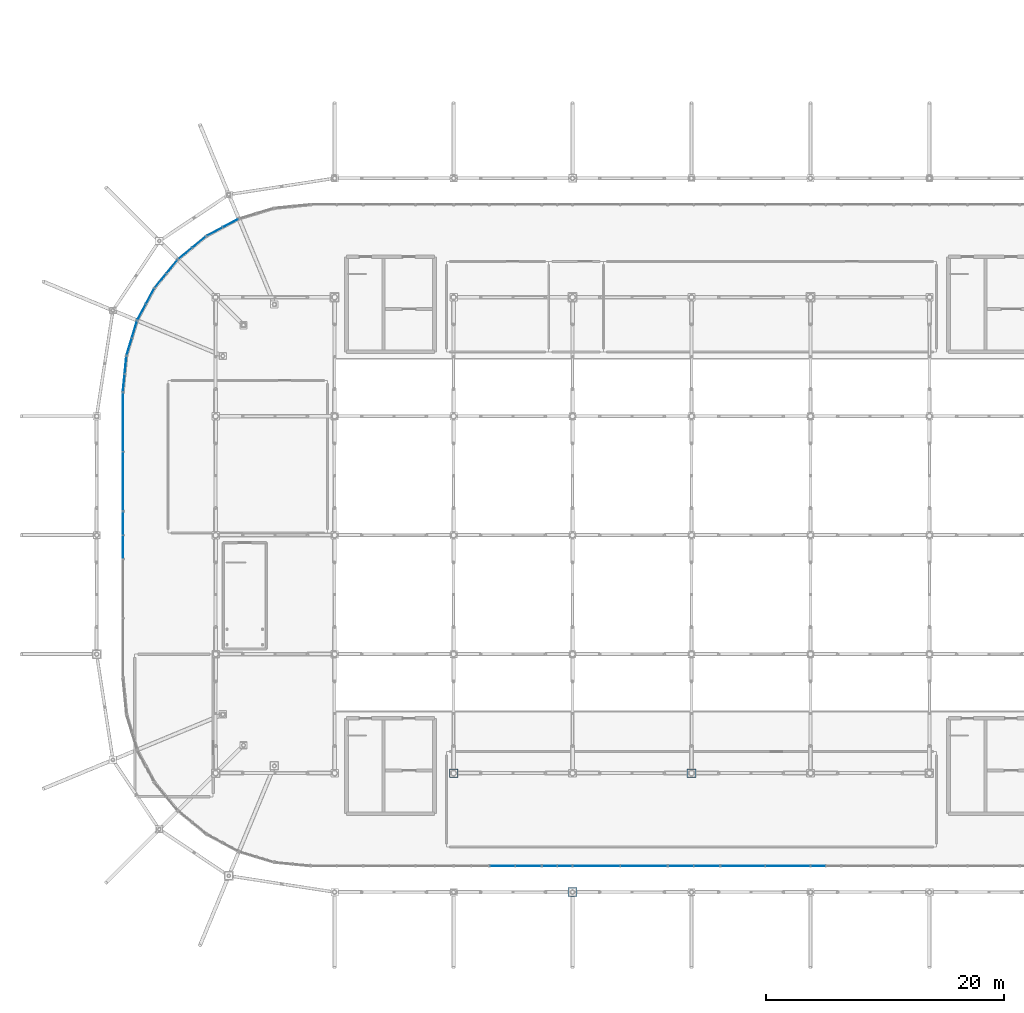
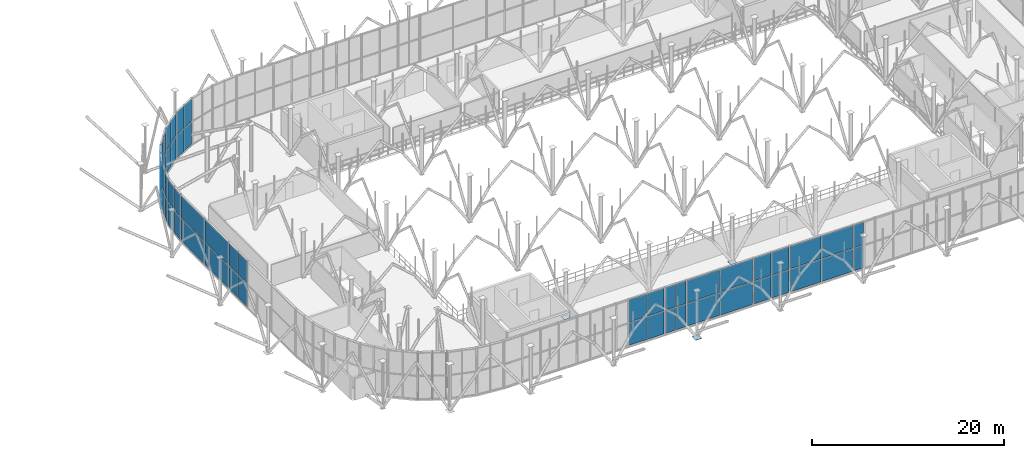
# One storey, part 87 of 109: 57 plates, 14 elements without a shape of their own.
"""IFC4 building model written with IfcOpenShell, lengths in metres."""

from ifc_helpers import new_model, si_unit, derived_unit, direction, frame, origin, origin_2d_with_axis, place, context, subcontext, project, spatial, rectangle, extrude, material, layer, layer_set, type_object, element, aggregate, save


model = new_model("IFC4")

# Units and contexts
model_context = context("Model", 3, precision=1e-05, world=origin(), true_north=direction((0.0, 1.0)))
body_context = subcontext(model_context, "Body", "Model", "MODEL_VIEW")
ifc_project = project(units=[si_unit("LENGTHUNIT", "METRE"), si_unit("AREAUNIT", "SQUARE_METRE"), si_unit("VOLUMEUNIT", "CUBIC_METRE"), si_unit("PLANEANGLEUNIT", "RADIAN"), si_unit("MASSUNIT", "GRAM", prefix="KILO"), derived_unit("THERMALTRANSMITTANCEUNIT", [(si_unit("POWERUNIT", "WATT"), 1), (si_unit("LENGTHUNIT", "METRE"), -2), (si_unit("THERMODYNAMICTEMPERATUREUNIT", "KELVIN"), -1)])], contexts=[model_context])

# Site, building, storey
site_placement = place(None, origin())
site = spatial("IfcSite", under=ifc_project, at=site_placement, CompositionType="ELEMENT")
building_placement = place(site_placement, origin())
building = spatial("IfcBuilding", under=site, at=building_placement, Name="Cinnabar Yard Market Hall", CompositionType="ELEMENT")
storey_placement = place(building_placement, frame((0.0, 0.0, 8.39990234375)))
storey = spatial("IfcBuildingStorey", under=building, at=storey_placement, Name="L02", CompositionType="ELEMENT", Elevation=8.39990234375)

# Curtain wall, plates
ifc_material_1 = material(Name="Anodised bronze aluminium and low-E glass", Category="aluminium")
curtain_wall_type_1 = type_object("IfcCurtainWallType", Name="CW-CWH026x60", PredefinedType="NOTDEFINED", material=ifc_material_1)
curtain_wall_1_placement = place(storey_placement, origin())
curtain_wall_1 = element("IfcCurtainWall", 1, at=curtain_wall_1_placement, inside=storey, type_object=curtain_wall_type_1, Name="Market Hall South Upper Clerestory B2B", PredefinedType="NOTDEFINED")
ifc_material_2 = material(Name="Low-E laminated glass", Category="glass")
ifc_layer_1 = layer(ifc_material_2, 0.031982421875)
ifc_layer_set_1 = layer_set([ifc_layer_1], Name="Low-E laminated glass")
plate_type_1 = type_object("IfcPlateType", Name="CWP-GP118x287", PredefinedType="CURTAIN_PANEL", material=ifc_layer_set_1)
plate_1_placement = place(storey_placement, frame((104.070068359375, 16.199951171875, 0.080078125), z_axis=(0.0, 0.0, 1.0), x_axis=(1.0, 0.0, 0.0)))
plate_1 = element("IfcPlate", 2, at=plate_1_placement, type_object=plate_type_1, Name="CWH026x60 panel 1.1", PredefinedType="CURTAIN_PANEL", context=body_context, shape_type="SweptSolid", body=[
    extrude(rectangle(XDim=1.179931640625, YDim=0.031982421875, at=origin_2d_with_axis()), origin(), (0.0, 0.0, 1.0), 2.8701171875),
])
plate_2_placement = place(storey_placement, frame((104.070068359375, 16.199951171875, 3.030029296875), z_axis=(0.0, 0.0, 1.0), x_axis=(1.0, 0.0, 0.0)))
plate_2 = element("IfcPlate", 3, at=plate_2_placement, type_object=plate_type_1, Name="CWH026x60 panel 1.2", PredefinedType="CURTAIN_PANEL", context=body_context, shape_type="SweptSolid", body=[
    extrude(rectangle(XDim=1.179931640625, YDim=0.031982421875, at=origin_2d_with_axis()), origin(), (0.0, 0.0, 1.0), 2.8701171875),
])
plate_3_placement = place(storey_placement, frame((105.330078125, 16.199951171875, 0.080078125), z_axis=(0.0, 0.0, 1.0), x_axis=(1.0, 0.0, 0.0)))
plate_3 = element("IfcPlate", 4, at=plate_3_placement, type_object=plate_type_1, Name="CWH026x60 panel 2.1", PredefinedType="CURTAIN_PANEL", context=body_context, shape_type="SweptSolid", body=[
    extrude(rectangle(XDim=1.179931640625, YDim=0.031982421875, at=origin_2d_with_axis()), origin(), (0.0, 0.0, 1.0), 2.8701171875),
])
plate_4_placement = place(storey_placement, frame((105.330078125, 16.199951171875, 3.030029296875), z_axis=(0.0, 0.0, 1.0), x_axis=(1.0, 0.0, 0.0)))
plate_4 = element("IfcPlate", 5, at=plate_4_placement, type_object=plate_type_1, Name="CWH026x60 panel 2.2", PredefinedType="CURTAIN_PANEL", context=body_context, shape_type="SweptSolid", body=[
    extrude(rectangle(XDim=1.179931640625, YDim=0.031982421875, at=origin_2d_with_axis()), origin(), (0.0, 0.0, 1.0), 2.8701171875),
])
aggregate(curtain_wall_1, [plate_1, plate_2, plate_3, plate_4])

curtain_wall_2_placement = place(storey_placement, origin())
curtain_wall_2 = element("IfcCurtainWall", 6, at=curtain_wall_2_placement, inside=storey, type_object=curtain_wall_type_1, Name="Market Hall South Upper Clerestory B5A", PredefinedType="NOTDEFINED")
plate_5_placement = place(storey_placement, frame((126.669921875, 16.199951171875, 0.080078125), z_axis=(0.0, 0.0, 1.0), x_axis=(1.0, 0.0, 0.0)))
plate_5 = element("IfcPlate", 7, at=plate_5_placement, type_object=plate_type_1, Name="CWH026x60 panel 1.1", PredefinedType="CURTAIN_PANEL", context=body_context, shape_type="SweptSolid", body=[
    extrude(rectangle(XDim=1.179931640625, YDim=0.031982421875, at=origin_2d_with_axis()), origin(), (0.0, 0.0, 1.0), 2.8701171875),
])
plate_6_placement = place(storey_placement, frame((126.669921875, 16.199951171875, 3.030029296875), z_axis=(0.0, 0.0, 1.0), x_axis=(1.0, 0.0, 0.0)))
plate_6 = element("IfcPlate", 8, at=plate_6_placement, type_object=plate_type_1, Name="CWH026x60 panel 1.2", PredefinedType="CURTAIN_PANEL", context=body_context, shape_type="SweptSolid", body=[
    extrude(rectangle(XDim=1.179931640625, YDim=0.031982421875, at=origin_2d_with_axis()), origin(), (0.0, 0.0, 1.0), 2.8701171875),
])
aggregate(curtain_wall_2, [plate_5, plate_6])

ifc_material_3 = material(Name="Anodised bronze aluminium curved-chord facade", Category="aluminium")
curtain_wall_type_2 = type_object("IfcCurtainWallType", Name="CW-CWC031x60", PredefinedType="NOTDEFINED", material=ifc_material_3)
curtain_wall_3_placement = place(storey_placement, origin())
curtain_wall_3 = element("IfcCurtainWall", 9, at=curtain_wall_3_placement, inside=storey, type_object=curtain_wall_type_2, Name="Corner NW Chord 3 L02", PredefinedType="NOTDEFINED")
ifc_layer_2 = layer(ifc_material_2, 0.031982421875)
ifc_layer_set_2 = layer_set([ifc_layer_2], Name="Low-E laminated glass")
plate_type_2 = type_object("IfcPlateType", Name="CWP-GP141x286", PredefinedType="CURTAIN_PANEL", material=ifc_layer_set_2)
plate_7_placement = place(storey_placement, frame((77.2509765625, 70.2216796875, 0.090087890625), z_axis=(0.0, 0.0, 1.0), x_axis=(-0.881917320707, -0.471404114786, 0.0)))
plate_7 = element("IfcPlate", 10, at=plate_7_placement, type_object=plate_type_2, Name="CWC031x60 panel 1.1", PredefinedType="CURTAIN_PANEL", context=body_context, shape_type="SweptSolid", body=[
    extrude(rectangle(XDim=1.41357421875, YDim=0.031982421875, at=origin_2d_with_axis()), origin(), (0.0, 0.0, 1.0), 2.85498046875),
])
plate_8_placement = place(storey_placement, frame((77.2509765625, 70.2216796875, 3.03515625), z_axis=(0.0, 0.0, 1.0), x_axis=(-0.881917320707, -0.471404114786, 0.0)))
plate_8 = element("IfcPlate", 11, at=plate_8_placement, type_object=plate_type_2, Name="CWC031x60 panel 1.2", PredefinedType="CURTAIN_PANEL", context=body_context, shape_type="SweptSolid", body=[
    extrude(rectangle(XDim=1.41357421875, YDim=0.031982421875, at=origin_2d_with_axis()), origin(), (0.0, 0.0, 1.0), 2.85498046875),
])
plate_9_placement = place(storey_placement, frame((75.9248046875, 69.512939453125, 0.090087890625), z_axis=(0.0, 0.0, 1.0), x_axis=(-0.881917320707, -0.471404114786, 0.0)))
plate_9 = element("IfcPlate", 12, at=plate_9_placement, type_object=plate_type_2, Name="CWC031x60 panel 2.1", PredefinedType="CURTAIN_PANEL", context=body_context, shape_type="SweptSolid", body=[
    extrude(rectangle(XDim=1.41357421875, YDim=0.031982421875, at=origin_2d_with_axis()), origin(), (0.0, 0.0, 1.0), 2.85498046875),
])
plate_10_placement = place(storey_placement, frame((75.9248046875, 69.512939453125, 3.03515625), z_axis=(0.0, 0.0, 1.0), x_axis=(-0.881917320707, -0.471404114786, 0.0)))
plate_10 = element("IfcPlate", 13, at=plate_10_placement, type_object=plate_type_2, Name="CWC031x60 panel 2.2", PredefinedType="CURTAIN_PANEL", context=body_context, shape_type="SweptSolid", body=[
    extrude(rectangle(XDim=1.41357421875, YDim=0.031982421875, at=origin_2d_with_axis()), origin(), (0.0, 0.0, 1.0), 2.85498046875),
])
aggregate(curtain_wall_3, [plate_7, plate_8, plate_9, plate_10])

curtain_wall_4_placement = place(storey_placement, origin())
curtain_wall_4 = element("IfcCurtainWall", 14, at=curtain_wall_4_placement, inside=storey, type_object=curtain_wall_type_2, Name="Corner NW Chord 4 L02", PredefinedType="NOTDEFINED")
plate_11_placement = place(storey_placement, frame((74.60595703125, 68.631591796875, 0.090087890625), z_axis=(0.0, 0.0, 1.0), x_axis=(-0.773018564222, -0.634383400924, 0.0)))
plate_11 = element("IfcPlate", 15, at=plate_11_placement, type_object=plate_type_2, Name="CWC031x60 panel 1.1", PredefinedType="CURTAIN_PANEL", context=body_context, shape_type="SweptSolid", body=[
    extrude(rectangle(XDim=1.41357421875, YDim=0.031982421875, at=origin_2d_with_axis()), origin(), (0.0, 0.0, 1.0), 2.85498046875),
])
plate_12_placement = place(storey_placement, frame((74.60595703125, 68.631591796875, 3.03515625), z_axis=(0.0, 0.0, 1.0), x_axis=(-0.773018564222, -0.634383400924, 0.0)))
plate_12 = element("IfcPlate", 16, at=plate_12_placement, type_object=plate_type_2, Name="CWC031x60 panel 1.2", PredefinedType="CURTAIN_PANEL", context=body_context, shape_type="SweptSolid", body=[
    extrude(rectangle(XDim=1.41357421875, YDim=0.031982421875, at=origin_2d_with_axis()), origin(), (0.0, 0.0, 1.0), 2.85498046875),
])
plate_13_placement = place(storey_placement, frame((73.443603515625, 67.677734375, 0.090087890625), z_axis=(0.0, 0.0, 1.0), x_axis=(-0.773018564222, -0.634383400924, 0.0)))
plate_13 = element("IfcPlate", 17, at=plate_13_placement, type_object=plate_type_2, Name="CWC031x60 panel 2.1", PredefinedType="CURTAIN_PANEL", context=body_context, shape_type="SweptSolid", body=[
    extrude(rectangle(XDim=1.41357421875, YDim=0.031982421875, at=origin_2d_with_axis()), origin(), (0.0, 0.0, 1.0), 2.85498046875),
])
plate_14_placement = place(storey_placement, frame((73.443603515625, 67.677734375, 3.03515625), z_axis=(0.0, 0.0, 1.0), x_axis=(-0.773018564222, -0.634383400924, 0.0)))
plate_14 = element("IfcPlate", 18, at=plate_14_placement, type_object=plate_type_2, Name="CWC031x60 panel 2.2", PredefinedType="CURTAIN_PANEL", context=body_context, shape_type="SweptSolid", body=[
    extrude(rectangle(XDim=1.41357421875, YDim=0.031982421875, at=origin_2d_with_axis()), origin(), (0.0, 0.0, 1.0), 2.85498046875),
])
aggregate(curtain_wall_4, [plate_11, plate_12, plate_13, plate_14])

curtain_wall_5_placement = place(storey_placement, origin())
curtain_wall_5 = element("IfcCurtainWall", 19, at=curtain_wall_5_placement, inside=storey, type_object=curtain_wall_type_2, Name="Corner NW Chord 5 L02", PredefinedType="NOTDEFINED")
plate_15_placement = place(storey_placement, frame((72.322265625, 66.556396484375, 0.090087890625), z_axis=(0.0, 0.0, 1.0), x_axis=(-0.634383400924, -0.773018564222, 0.0)))
plate_15 = element("IfcPlate", 20, at=plate_15_placement, type_object=plate_type_2, Name="CWC031x60 panel 1.1", PredefinedType="CURTAIN_PANEL", context=body_context, shape_type="SweptSolid", body=[
    extrude(rectangle(XDim=1.41357421875, YDim=0.031982421875, at=origin_2d_with_axis()), origin(), (0.0, 0.0, 1.0), 2.85498046875),
])
plate_16_placement = place(storey_placement, frame((72.322265625, 66.556396484375, 3.03515625), z_axis=(0.0, 0.0, 1.0), x_axis=(-0.634383400924, -0.773018564222, 0.0)))
plate_16 = element("IfcPlate", 21, at=plate_16_placement, type_object=plate_type_2, Name="CWC031x60 panel 1.2", PredefinedType="CURTAIN_PANEL", context=body_context, shape_type="SweptSolid", body=[
    extrude(rectangle(XDim=1.41357421875, YDim=0.031982421875, at=origin_2d_with_axis()), origin(), (0.0, 0.0, 1.0), 2.85498046875),
])
plate_17_placement = place(storey_placement, frame((71.368408203125, 65.39404296875, 0.090087890625), z_axis=(0.0, 0.0, 1.0), x_axis=(-0.634383400924, -0.773018564222, 0.0)))
plate_17 = element("IfcPlate", 22, at=plate_17_placement, type_object=plate_type_2, Name="CWC031x60 panel 2.1", PredefinedType="CURTAIN_PANEL", context=body_context, shape_type="SweptSolid", body=[
    extrude(rectangle(XDim=1.41357421875, YDim=0.031982421875, at=origin_2d_with_axis()), origin(), (0.0, 0.0, 1.0), 2.85498046875),
])
plate_18_placement = place(storey_placement, frame((71.368408203125, 65.39404296875, 3.03515625), z_axis=(0.0, 0.0, 1.0), x_axis=(-0.634383400924, -0.773018564222, 0.0)))
plate_18 = element("IfcPlate", 23, at=plate_18_placement, type_object=plate_type_2, Name="CWC031x60 panel 2.2", PredefinedType="CURTAIN_PANEL", context=body_context, shape_type="SweptSolid", body=[
    extrude(rectangle(XDim=1.41357421875, YDim=0.031982421875, at=origin_2d_with_axis()), origin(), (0.0, 0.0, 1.0), 2.85498046875),
])
aggregate(curtain_wall_5, [plate_15, plate_16, plate_17, plate_18])

curtain_wall_6_placement = place(storey_placement, origin())
curtain_wall_6 = element("IfcCurtainWall", 24, at=curtain_wall_6_placement, inside=storey, type_object=curtain_wall_type_2, Name="Corner NW Chord 6 L02", PredefinedType="NOTDEFINED")
plate_19_placement = place(storey_placement, frame((70.487060546875, 64.0751953125, 0.090087890625), z_axis=(0.0, 0.0, 1.0), x_axis=(-0.471404114786, -0.881917320707, 0.0)))
plate_19 = element("IfcPlate", 25, at=plate_19_placement, type_object=plate_type_2, Name="CWC031x60 panel 1.1", PredefinedType="CURTAIN_PANEL", context=body_context, shape_type="SweptSolid", body=[
    extrude(rectangle(XDim=1.41357421875, YDim=0.031982421875, at=origin_2d_with_axis()), origin(), (0.0, 0.0, 1.0), 2.85498046875),
])
plate_20_placement = place(storey_placement, frame((70.487060546875, 64.0751953125, 3.03515625), z_axis=(0.0, 0.0, 1.0), x_axis=(-0.471404114786, -0.881917320707, 0.0)))
plate_20 = element("IfcPlate", 26, at=plate_20_placement, type_object=plate_type_2, Name="CWC031x60 panel 1.2", PredefinedType="CURTAIN_PANEL", context=body_context, shape_type="SweptSolid", body=[
    extrude(rectangle(XDim=1.41357421875, YDim=0.031982421875, at=origin_2d_with_axis()), origin(), (0.0, 0.0, 1.0), 2.85498046875),
])
plate_21_placement = place(storey_placement, frame((69.7783203125, 62.7490234375, 0.090087890625), z_axis=(0.0, 0.0, 1.0), x_axis=(-0.471404114786, -0.881917320707, 0.0)))
plate_21 = element("IfcPlate", 27, at=plate_21_placement, type_object=plate_type_2, Name="CWC031x60 panel 2.1", PredefinedType="CURTAIN_PANEL", context=body_context, shape_type="SweptSolid", body=[
    extrude(rectangle(XDim=1.41357421875, YDim=0.031982421875, at=origin_2d_with_axis()), origin(), (0.0, 0.0, 1.0), 2.85498046875),
])
plate_22_placement = place(storey_placement, frame((69.7783203125, 62.7490234375, 3.03515625), z_axis=(0.0, 0.0, 1.0), x_axis=(-0.471404114786, -0.881917320707, 0.0)))
plate_22 = element("IfcPlate", 28, at=plate_22_placement, type_object=plate_type_2, Name="CWC031x60 panel 2.2", PredefinedType="CURTAIN_PANEL", context=body_context, shape_type="SweptSolid", body=[
    extrude(rectangle(XDim=1.41357421875, YDim=0.031982421875, at=origin_2d_with_axis()), origin(), (0.0, 0.0, 1.0), 2.85498046875),
])
aggregate(curtain_wall_6, [plate_19, plate_20, plate_21, plate_22])

curtain_wall_7_placement = place(storey_placement, origin())
curtain_wall_7 = element("IfcCurtainWall", 29, at=curtain_wall_7_placement, inside=storey, type_object=curtain_wall_type_2, Name="Corner NW Chord 7 L02", PredefinedType="NOTDEFINED")
plate_23_placement = place(storey_placement, frame((69.17138671875, 61.283935546875, 0.090087890625), z_axis=(0.0, 0.0, 1.0), x_axis=(-0.290278891325, -0.956942090856, 0.0)))
plate_23 = element("IfcPlate", 30, at=plate_23_placement, type_object=plate_type_2, Name="CWC031x60 panel 1.1", PredefinedType="CURTAIN_PANEL", context=body_context, shape_type="SweptSolid", body=[
    extrude(rectangle(XDim=1.41357421875, YDim=0.031982421875, at=origin_2d_with_axis()), origin(), (0.0, 0.0, 1.0), 2.85498046875),
])
plate_24_placement = place(storey_placement, frame((69.17138671875, 61.283935546875, 3.03515625), z_axis=(0.0, 0.0, 1.0), x_axis=(-0.290278891325, -0.956942090856, 0.0)))
plate_24 = element("IfcPlate", 31, at=plate_24_placement, type_object=plate_type_2, Name="CWC031x60 panel 1.2", PredefinedType="CURTAIN_PANEL", context=body_context, shape_type="SweptSolid", body=[
    extrude(rectangle(XDim=1.41357421875, YDim=0.031982421875, at=origin_2d_with_axis()), origin(), (0.0, 0.0, 1.0), 2.85498046875),
])
plate_25_placement = place(storey_placement, frame((68.73486328125, 59.844970703125, 0.090087890625), z_axis=(0.0, 0.0, 1.0), x_axis=(-0.290278891325, -0.956942090856, 0.0)))
plate_25 = element("IfcPlate", 32, at=plate_25_placement, type_object=plate_type_2, Name="CWC031x60 panel 2.1", PredefinedType="CURTAIN_PANEL", context=body_context, shape_type="SweptSolid", body=[
    extrude(rectangle(XDim=1.41357421875, YDim=0.031982421875, at=origin_2d_with_axis()), origin(), (0.0, 0.0, 1.0), 2.85498046875),
])
plate_26_placement = place(storey_placement, frame((68.73486328125, 59.844970703125, 3.03515625), z_axis=(0.0, 0.0, 1.0), x_axis=(-0.290278891325, -0.956942090856, 0.0)))
plate_26 = element("IfcPlate", 33, at=plate_26_placement, type_object=plate_type_2, Name="CWC031x60 panel 2.2", PredefinedType="CURTAIN_PANEL", context=body_context, shape_type="SweptSolid", body=[
    extrude(rectangle(XDim=1.41357421875, YDim=0.031982421875, at=origin_2d_with_axis()), origin(), (0.0, 0.0, 1.0), 2.85498046875),
])
aggregate(curtain_wall_7, [plate_23, plate_24, plate_25, plate_26])

curtain_wall_8_placement = place(storey_placement, origin())
curtain_wall_8 = element("IfcCurtainWall", 34, at=curtain_wall_8_placement, inside=storey, type_object=curtain_wall_type_2, Name="Corner NW Chord 8 L02", PredefinedType="NOTDEFINED")
plate_27_placement = place(storey_placement, frame((68.425537109375, 58.289306640625, 0.090087890625), z_axis=(0.0, 0.0, 1.0), x_axis=(-0.098020369342, -0.995184408637, 0.0)))
plate_27 = element("IfcPlate", 35, at=plate_27_placement, type_object=plate_type_2, Name="CWC031x60 panel 1.1", PredefinedType="CURTAIN_PANEL", context=body_context, shape_type="SweptSolid", body=[
    extrude(rectangle(XDim=1.41357421875, YDim=0.031982421875, at=origin_2d_with_axis()), origin(), (0.0, 0.0, 1.0), 2.85498046875),
])
plate_28_placement = place(storey_placement, frame((68.425537109375, 58.289306640625, 3.03515625), z_axis=(0.0, 0.0, 1.0), x_axis=(-0.098020369342, -0.995184408637, 0.0)))
plate_28 = element("IfcPlate", 36, at=plate_28_placement, type_object=plate_type_2, Name="CWC031x60 panel 1.2", PredefinedType="CURTAIN_PANEL", context=body_context, shape_type="SweptSolid", body=[
    extrude(rectangle(XDim=1.41357421875, YDim=0.031982421875, at=origin_2d_with_axis()), origin(), (0.0, 0.0, 1.0), 2.85498046875),
])
plate_29_placement = place(storey_placement, frame((68.278076171875, 56.79296875, 0.090087890625), z_axis=(0.0, 0.0, 1.0), x_axis=(-0.098020369342, -0.995184408637, 0.0)))
plate_29 = element("IfcPlate", 37, at=plate_29_placement, type_object=plate_type_2, Name="CWC031x60 panel 2.1", PredefinedType="CURTAIN_PANEL", context=body_context, shape_type="SweptSolid", body=[
    extrude(rectangle(XDim=1.41357421875, YDim=0.031982421875, at=origin_2d_with_axis()), origin(), (0.0, 0.0, 1.0), 2.85498046875),
])
plate_30_placement = place(storey_placement, frame((68.278076171875, 56.79296875, 3.03515625), z_axis=(0.0, 0.0, 1.0), x_axis=(-0.098020369342, -0.995184408637, 0.0)))
plate_30 = element("IfcPlate", 38, at=plate_30_placement, type_object=plate_type_2, Name="CWC031x60 panel 2.2", PredefinedType="CURTAIN_PANEL", context=body_context, shape_type="SweptSolid", body=[
    extrude(rectangle(XDim=1.41357421875, YDim=0.031982421875, at=origin_2d_with_axis()), origin(), (0.0, 0.0, 1.0), 2.85498046875),
])
aggregate(curtain_wall_8, [plate_27, plate_28, plate_29, plate_30])

curtain_wall_type_3 = type_object("IfcCurtainWallType", Name="CW-CWH040x60", PredefinedType="NOTDEFINED", material=ifc_material_1)
curtain_wall_9_placement = place(storey_placement, origin())
curtain_wall_9 = element("IfcCurtainWall", 39, at=curtain_wall_9_placement, inside=storey, type_object=curtain_wall_type_3, Name="Market Hall West Upper Clerestory WPT", PredefinedType="NOTDEFINED")
ifc_layer_3 = layer(ifc_material_2, 0.031982421875)
ifc_layer_set_3 = layer_set([ifc_layer_3], Name="Low-E laminated glass")
plate_type_3 = type_object("IfcPlateType", Name="CWP-GP188x287", PredefinedType="CURTAIN_PANEL", material=ifc_layer_set_3)
plate_31_placement = place(storey_placement, frame((68.199951171875, 44.97998046875, 0.080078125), z_axis=(0.0, 0.0, 1.0), x_axis=(0.0, -1.0, 0.0)))
plate_31 = element("IfcPlate", 40, at=plate_31_placement, type_object=plate_type_3, Name="CWH040x60 panel 1.1", PredefinedType="CURTAIN_PANEL", context=body_context, shape_type="SweptSolid", body=[
    extrude(rectangle(XDim=1.8798828125, YDim=0.031982421875, at=origin_2d_with_axis()), origin(), (0.0, 0.0, 1.0), 2.8701171875),
])
plate_32_placement = place(storey_placement, frame((68.199951171875, 44.97998046875, 3.030029296875), z_axis=(0.0, 0.0, 1.0), x_axis=(0.0, -1.0, 0.0)))
plate_32 = element("IfcPlate", 41, at=plate_32_placement, type_object=plate_type_3, Name="CWH040x60 panel 1.2", PredefinedType="CURTAIN_PANEL", context=body_context, shape_type="SweptSolid", body=[
    extrude(rectangle(XDim=1.8798828125, YDim=0.031982421875, at=origin_2d_with_axis()), origin(), (0.0, 0.0, 1.0), 2.8701171875),
])
plate_33_placement = place(storey_placement, frame((68.199951171875, 43.02001953125, 0.080078125), z_axis=(0.0, 0.0, 1.0), x_axis=(0.0, -1.0, 0.0)))
plate_33 = element("IfcPlate", 42, at=plate_33_placement, type_object=plate_type_3, Name="CWH040x60 panel 2.1", PredefinedType="CURTAIN_PANEL", context=body_context, shape_type="SweptSolid", body=[
    extrude(rectangle(XDim=1.8798828125, YDim=0.031982421875, at=origin_2d_with_axis()), origin(), (0.0, 0.0, 1.0), 2.8701171875),
])
plate_34_placement = place(storey_placement, frame((68.199951171875, 43.02001953125, 3.030029296875), z_axis=(0.0, 0.0, 1.0), x_axis=(0.0, -1.0, 0.0)))
plate_34 = element("IfcPlate", 43, at=plate_34_placement, type_object=plate_type_3, Name="CWH040x60 panel 2.2", PredefinedType="CURTAIN_PANEL", context=body_context, shape_type="SweptSolid", body=[
    extrude(rectangle(XDim=1.8798828125, YDim=0.031982421875, at=origin_2d_with_axis()), origin(), (0.0, 0.0, 1.0), 2.8701171875),
])
aggregate(curtain_wall_9, [plate_31, plate_32, plate_33, plate_34])

curtain_wall_type_4 = type_object("IfcCurtainWallType", Name="CW-CWH044x60", PredefinedType="NOTDEFINED", material=ifc_material_1)
curtain_wall_10_placement = place(storey_placement, origin())
curtain_wall_10 = element("IfcCurtainWall", 44, at=curtain_wall_10_placement, inside=storey, type_object=curtain_wall_type_4, Name="Market Hall South Upper Clerestory PTB2", PredefinedType="NOTDEFINED")
ifc_layer_4 = layer(ifc_material_2, 0.031982421875)
ifc_layer_set_4 = layer_set([ifc_layer_4], Name="Low-E laminated glass")
plate_type_4 = type_object("IfcPlateType", Name="CWP-GP208x287", PredefinedType="CURTAIN_PANEL", material=ifc_layer_set_4)
plate_35_placement = place(storey_placement, frame((100.1201171875, 16.199951171875, 0.080078125), z_axis=(0.0, 0.0, 1.0), x_axis=(1.0, 0.0, 0.0)))
plate_35 = element("IfcPlate", 45, at=plate_35_placement, type_object=plate_type_4, Name="CWH044x60 panel 1.1", PredefinedType="CURTAIN_PANEL", context=body_context, shape_type="SweptSolid", body=[
    extrude(rectangle(XDim=2.080078125, YDim=0.031982421875, at=origin_2d_with_axis()), origin(), (0.0, 0.0, 1.0), 2.8701171875),
])
plate_36_placement = place(storey_placement, frame((100.1201171875, 16.199951171875, 3.030029296875), z_axis=(0.0, 0.0, 1.0), x_axis=(1.0, 0.0, 0.0)))
plate_36 = element("IfcPlate", 46, at=plate_36_placement, type_object=plate_type_4, Name="CWH044x60 panel 1.2", PredefinedType="CURTAIN_PANEL", context=body_context, shape_type="SweptSolid", body=[
    extrude(rectangle(XDim=2.080078125, YDim=0.031982421875, at=origin_2d_with_axis()), origin(), (0.0, 0.0, 1.0), 2.8701171875),
])
plate_37_placement = place(storey_placement, frame((102.280029296875, 16.199951171875, 0.080078125), z_axis=(0.0, 0.0, 1.0), x_axis=(1.0, 0.0, 0.0)))
plate_37 = element("IfcPlate", 47, at=plate_37_placement, type_object=plate_type_4, Name="CWH044x60 panel 2.1", PredefinedType="CURTAIN_PANEL", context=body_context, shape_type="SweptSolid", body=[
    extrude(rectangle(XDim=2.080078125, YDim=0.031982421875, at=origin_2d_with_axis()), origin(), (0.0, 0.0, 1.0), 2.8701171875),
])
plate_38_placement = place(storey_placement, frame((102.280029296875, 16.199951171875, 3.030029296875), z_axis=(0.0, 0.0, 1.0), x_axis=(1.0, 0.0, 0.0)))
plate_38 = element("IfcPlate", 48, at=plate_38_placement, type_object=plate_type_4, Name="CWH044x60 panel 2.2", PredefinedType="CURTAIN_PANEL", context=body_context, shape_type="SweptSolid", body=[
    extrude(rectangle(XDim=2.080078125, YDim=0.031982421875, at=origin_2d_with_axis()), origin(), (0.0, 0.0, 1.0), 2.8701171875),
])
aggregate(curtain_wall_10, [plate_35, plate_36, plate_37, plate_38])

curtain_wall_11_placement = place(storey_placement, origin())
curtain_wall_11 = element("IfcCurtainWall", 49, at=curtain_wall_11_placement, inside=storey, type_object=curtain_wall_type_4, Name="Market Hall South Upper Clerestory PT1", PredefinedType="NOTDEFINED")
plate_39_placement = place(storey_placement, frame((115.1201171875, 16.199951171875, 0.080078125), z_axis=(0.0, 0.0, 1.0), x_axis=(1.0, 0.0, 0.0)))
plate_39 = element("IfcPlate", 50, at=plate_39_placement, type_object=plate_type_4, Name="CWH044x60 panel 1.1", PredefinedType="CURTAIN_PANEL", context=body_context, shape_type="SweptSolid", body=[
    extrude(rectangle(XDim=2.080078125, YDim=0.031982421875, at=origin_2d_with_axis()), origin(), (0.0, 0.0, 1.0), 2.8701171875),
])
plate_40_placement = place(storey_placement, frame((115.1201171875, 16.199951171875, 3.030029296875), z_axis=(0.0, 0.0, 1.0), x_axis=(1.0, 0.0, 0.0)))
plate_40 = element("IfcPlate", 51, at=plate_40_placement, type_object=plate_type_4, Name="CWH044x60 panel 1.2", PredefinedType="CURTAIN_PANEL", context=body_context, shape_type="SweptSolid", body=[
    extrude(rectangle(XDim=2.080078125, YDim=0.031982421875, at=origin_2d_with_axis()), origin(), (0.0, 0.0, 1.0), 2.8701171875),
])
plate_41_placement = place(storey_placement, frame((117.280029296875, 16.199951171875, 0.080078125), z_axis=(0.0, 0.0, 1.0), x_axis=(1.0, 0.0, 0.0)))
plate_41 = element("IfcPlate", 52, at=plate_41_placement, type_object=plate_type_4, Name="CWH044x60 panel 2.1", PredefinedType="CURTAIN_PANEL", context=body_context, shape_type="SweptSolid", body=[
    extrude(rectangle(XDim=2.080078125, YDim=0.031982421875, at=origin_2d_with_axis()), origin(), (0.0, 0.0, 1.0), 2.8701171875),
])
plate_42_placement = place(storey_placement, frame((117.280029296875, 16.199951171875, 3.030029296875), z_axis=(0.0, 0.0, 1.0), x_axis=(1.0, 0.0, 0.0)))
plate_42 = element("IfcPlate", 53, at=plate_42_placement, type_object=plate_type_4, Name="CWH044x60 panel 2.2", PredefinedType="CURTAIN_PANEL", context=body_context, shape_type="SweptSolid", body=[
    extrude(rectangle(XDim=2.080078125, YDim=0.031982421875, at=origin_2d_with_axis()), origin(), (0.0, 0.0, 1.0), 2.8701171875),
])
aggregate(curtain_wall_11, [plate_39, plate_40, plate_41, plate_42])

curtain_wall_type_5 = type_object("IfcCurtainWallType", Name="CW-CWH076x60", PredefinedType="NOTDEFINED", material=ifc_material_1)
curtain_wall_12_placement = place(storey_placement, origin())
curtain_wall_12 = element("IfcCurtainWall", 54, at=curtain_wall_12_placement, inside=storey, type_object=curtain_wall_type_5, Name="Market Hall South Upper Clerestory B4", PredefinedType="NOTDEFINED")
ifc_layer_5 = layer(ifc_material_2, 0.031982421875)
ifc_layer_set_5 = layer_set([ifc_layer_5], Name="Low-E laminated glass")
plate_type_5 = type_object("IfcPlateType", Name="CWP-GP368x287", PredefinedType="CURTAIN_PANEL", material=ifc_layer_set_5)
plate_43_placement = place(storey_placement, frame((120.320068359375, 16.199951171875, 0.080078125), z_axis=(0.0, 0.0, 1.0), x_axis=(1.0, 0.0, 0.0)))
plate_43 = element("IfcPlate", 55, at=plate_43_placement, type_object=plate_type_5, Name="CWH076x60 panel 1.1", PredefinedType="CURTAIN_PANEL", context=body_context, shape_type="SweptSolid", body=[
    extrude(rectangle(XDim=3.679931640625, YDim=0.031982421875, at=origin_2d_with_axis()), origin(), (0.0, 0.0, 1.0), 2.8701171875),
])
plate_44_placement = place(storey_placement, frame((120.320068359375, 16.199951171875, 3.030029296875), z_axis=(0.0, 0.0, 1.0), x_axis=(1.0, 0.0, 0.0)))
plate_44 = element("IfcPlate", 56, at=plate_44_placement, type_object=plate_type_5, Name="CWH076x60 panel 1.2", PredefinedType="CURTAIN_PANEL", context=body_context, shape_type="SweptSolid", body=[
    extrude(rectangle(XDim=3.679931640625, YDim=0.031982421875, at=origin_2d_with_axis()), origin(), (0.0, 0.0, 1.0), 2.8701171875),
])
plate_45_placement = place(storey_placement, frame((124.080078125, 16.199951171875, 0.080078125), z_axis=(0.0, 0.0, 1.0), x_axis=(1.0, 0.0, 0.0)))
plate_45 = element("IfcPlate", 57, at=plate_45_placement, type_object=plate_type_5, Name="CWH076x60 panel 2.1", PredefinedType="CURTAIN_PANEL", context=body_context, shape_type="SweptSolid", body=[
    extrude(rectangle(XDim=3.679931640625, YDim=0.031982421875, at=origin_2d_with_axis()), origin(), (0.0, 0.0, 1.0), 2.8701171875),
])
plate_46_placement = place(storey_placement, frame((124.080078125, 16.199951171875, 3.030029296875), z_axis=(0.0, 0.0, 1.0), x_axis=(1.0, 0.0, 0.0)))
plate_46 = element("IfcPlate", 58, at=plate_46_placement, type_object=plate_type_5, Name="CWH076x60 panel 2.2", PredefinedType="CURTAIN_PANEL", context=body_context, shape_type="SweptSolid", body=[
    extrude(rectangle(XDim=3.679931640625, YDim=0.031982421875, at=origin_2d_with_axis()), origin(), (0.0, 0.0, 1.0), 2.8701171875),
])
aggregate(curtain_wall_12, [plate_43, plate_44, plate_45, plate_46])

curtain_wall_type_6 = type_object("IfcCurtainWallType", Name="CW-CWH080x60", PredefinedType="NOTDEFINED", material=ifc_material_1)
curtain_wall_13_placement = place(storey_placement, origin())
curtain_wall_13 = element("IfcCurtainWall", 59, at=curtain_wall_13_placement, inside=storey, type_object=curtain_wall_type_6, Name="Market Hall South Upper Clerestory B3", PredefinedType="NOTDEFINED")
ifc_layer_6 = layer(ifc_material_2, 0.031982421875)
ifc_layer_set_6 = layer_set([ifc_layer_6], Name="Low-E laminated glass")
plate_type_6 = type_object("IfcPlateType", Name="CWP-GP388x287", PredefinedType="CURTAIN_PANEL", material=ifc_layer_set_6)
plate_47_placement = place(storey_placement, frame((108.02001953125, 16.199951171875, 0.080078125), z_axis=(0.0, 0.0, 1.0), x_axis=(1.0, 0.0, 0.0)))
plate_47 = element("IfcPlate", 60, at=plate_47_placement, type_object=plate_type_6, Name="CWH080x60 panel 1.1", PredefinedType="CURTAIN_PANEL", context=body_context, shape_type="SweptSolid", body=[
    extrude(rectangle(XDim=3.8798828125, YDim=0.031982421875, at=origin_2d_with_axis()), origin(), (0.0, 0.0, 1.0), 2.8701171875),
])
plate_48_placement = place(storey_placement, frame((108.02001953125, 16.199951171875, 3.030029296875), z_axis=(0.0, 0.0, 1.0), x_axis=(1.0, 0.0, 0.0)))
plate_48 = element("IfcPlate", 61, at=plate_48_placement, type_object=plate_type_6, Name="CWH080x60 panel 1.2", PredefinedType="CURTAIN_PANEL", context=body_context, shape_type="SweptSolid", body=[
    extrude(rectangle(XDim=3.8798828125, YDim=0.031982421875, at=origin_2d_with_axis()), origin(), (0.0, 0.0, 1.0), 2.8701171875),
])
plate_49_placement = place(storey_placement, frame((111.97998046875, 16.199951171875, 0.080078125), z_axis=(0.0, 0.0, 1.0), x_axis=(1.0, 0.0, 0.0)))
plate_49 = element("IfcPlate", 62, at=plate_49_placement, type_object=plate_type_6, Name="CWH080x60 panel 2.1", PredefinedType="CURTAIN_PANEL", context=body_context, shape_type="SweptSolid", body=[
    extrude(rectangle(XDim=3.8798828125, YDim=0.031982421875, at=origin_2d_with_axis()), origin(), (0.0, 0.0, 1.0), 2.8701171875),
])
plate_50_placement = place(storey_placement, frame((111.97998046875, 16.199951171875, 3.030029296875), z_axis=(0.0, 0.0, 1.0), x_axis=(1.0, 0.0, 0.0)))
plate_50 = element("IfcPlate", 63, at=plate_50_placement, type_object=plate_type_6, Name="CWH080x60 panel 2.2", PredefinedType="CURTAIN_PANEL", context=body_context, shape_type="SweptSolid", body=[
    extrude(rectangle(XDim=3.8798828125, YDim=0.031982421875, at=origin_2d_with_axis()), origin(), (0.0, 0.0, 1.0), 2.8701171875),
])
aggregate(curtain_wall_13, [plate_47, plate_48, plate_49, plate_50])

curtain_wall_type_7 = type_object("IfcCurtainWallType", Name="CW-CWH100x60", PredefinedType="NOTDEFINED", material=ifc_material_1)
curtain_wall_14_placement = place(storey_placement, origin())
curtain_wall_14 = element("IfcCurtainWall", 64, at=curtain_wall_14_placement, inside=storey, type_object=curtain_wall_type_7, Name="Market Hall West Upper Clerestory W2", PredefinedType="NOTDEFINED")
ifc_layer_7 = layer(ifc_material_2, 0.031982421875)
ifc_layer_set_7 = layer_set([ifc_layer_7], Name="Low-E laminated glass")
plate_type_7 = type_object("IfcPlateType", Name="CWP-GP488x287", PredefinedType="CURTAIN_PANEL", material=ifc_layer_set_7)
plate_51_placement = place(storey_placement, frame((68.199951171875, 53.47998046875, 0.080078125), z_axis=(0.0, 0.0, 1.0), x_axis=(0.0, -1.0, 0.0)))
plate_51 = element("IfcPlate", 65, at=plate_51_placement, type_object=plate_type_7, Name="CWH100x60 panel 1.1", PredefinedType="CURTAIN_PANEL", context=body_context, shape_type="SweptSolid", body=[
    extrude(rectangle(XDim=4.8798828125, YDim=0.031982421875, at=origin_2d_with_axis()), origin(), (0.0, 0.0, 1.0), 2.8701171875),
])
plate_52_placement = place(storey_placement, frame((68.199951171875, 53.47998046875, 3.030029296875), z_axis=(0.0, 0.0, 1.0), x_axis=(0.0, -1.0, 0.0)))
plate_52 = element("IfcPlate", 66, at=plate_52_placement, type_object=plate_type_7, Name="CWH100x60 panel 1.2", PredefinedType="CURTAIN_PANEL", context=body_context, shape_type="SweptSolid", body=[
    extrude(rectangle(XDim=4.8798828125, YDim=0.031982421875, at=origin_2d_with_axis()), origin(), (0.0, 0.0, 1.0), 2.8701171875),
])
plate_53_placement = place(storey_placement, frame((68.199951171875, 48.52001953125, 0.080078125), z_axis=(0.0, 0.0, 1.0), x_axis=(0.0, -1.0, 0.0)))
plate_53 = element("IfcPlate", 67, at=plate_53_placement, type_object=plate_type_7, Name="CWH100x60 panel 2.1", PredefinedType="CURTAIN_PANEL", context=body_context, shape_type="SweptSolid", body=[
    extrude(rectangle(XDim=4.8798828125, YDim=0.031982421875, at=origin_2d_with_axis()), origin(), (0.0, 0.0, 1.0), 2.8701171875),
])
plate_54_placement = place(storey_placement, frame((68.199951171875, 48.52001953125, 3.030029296875), z_axis=(0.0, 0.0, 1.0), x_axis=(0.0, -1.0, 0.0)))
plate_54 = element("IfcPlate", 68, at=plate_54_placement, type_object=plate_type_7, Name="CWH100x60 panel 2.2", PredefinedType="CURTAIN_PANEL", context=body_context, shape_type="SweptSolid", body=[
    extrude(rectangle(XDim=4.8798828125, YDim=0.031982421875, at=origin_2d_with_axis()), origin(), (0.0, 0.0, 1.0), 2.8701171875),
])
aggregate(curtain_wall_14, [plate_51, plate_52, plate_53, plate_54])

# Plates
ifc_material_4 = material(Name="Steel Grade 350 (350 MPa)", Category="steel")
ifc_layer_8 = layer(ifc_material_4, 0.028076171875)
ifc_layer_set_8 = layer_set([ifc_layer_8], Name="Steel Grade 350 (350 MPa)")
plate_type_8 = type_object("IfcPlateType", Name="PL-NP01", PredefinedType="SHEET", material=ifc_layer_set_8)
for number, where, z_axis, x_axis, name in (
    (69, (96.0, 24.0, -0.01416015625), (0.0, 0.0, 1.0), (1.0, 0.0, 0.0), "Tree Collar Plate V1I-03-01"),
    (70, (116.0, 24.0, -0.01416015625), (0.0, 0.0, 1.0), (1.0, 0.0, 0.0), "Tree Collar Plate V1I-05-01"),
):
    element("IfcPlate", number, at=place(storey_placement, frame(where, z_axis=z_axis, x_axis=x_axis)), inside=storey, type_object=plate_type_8, Name=name, PredefinedType="SHEET", context=body_context, shape_type="SweptSolid", body=[
        extrude(rectangle(XDim=0.719970703125, YDim=0.719970703125, at=origin_2d_with_axis()), origin(), (0.0, 0.0, 1.0), 0.028076171875),
    ])
ifc_layer_9 = layer(ifc_material_4, 0.031982421875)
ifc_layer_set_9 = layer_set([ifc_layer_9], Name="Steel Grade 350 (350 MPa)")
plate_type_9 = type_object("IfcPlateType", Name="PL-NP10E", PredefinedType="SHEET", material=ifc_layer_set_9)
plate_55_placement = place(storey_placement, frame((106.0, 14.0, -0.01611328125), z_axis=(0.0, 0.0, 1.0), x_axis=(1.0, 0.0, 0.0)))
element("IfcPlate", 71, at=plate_55_placement, inside=storey, type_object=plate_type_9, Name="Tree Collar Plate V1S-03", PredefinedType="SHEET", context=body_context, shape_type="SweptSolid", body=[
    extrude(rectangle(XDim=0.780029296875, YDim=0.780029296875, at=origin_2d_with_axis()), origin(), (0.0, 0.0, 1.0), 0.031982421875),
])

save(model, "model.ifc")
